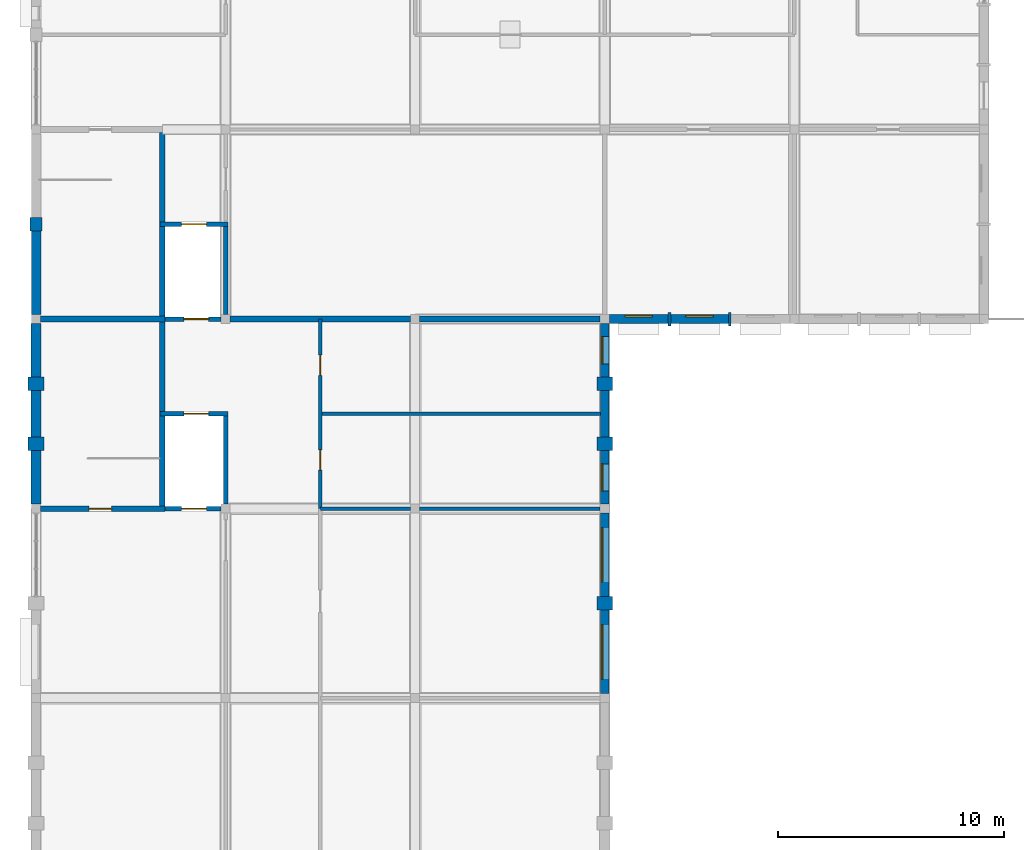
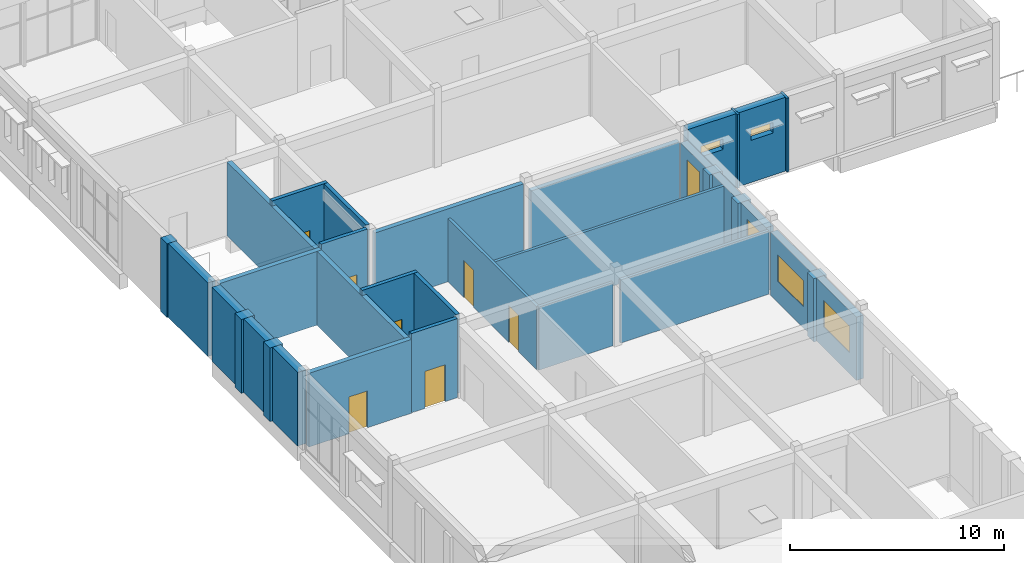
# One storey, part 12 of 15: 35 walls, 7 doors, 6 windows, 13 openings.
"""IFC4 building model written with IfcOpenShell, lengths in metres."""

from ifc_helpers import new_model, si_unit, direction, frame, frame_2d, origin, place, context, subcontext, project, spatial, rectangle, extrude, material, layer, layer_set, type_object, element, fill, save


model = new_model("IFC4")

# Units and contexts
model_context = context("Model", 3, precision=1e-05, world=origin(), true_north=direction((0.0, 1.0)))
body_context = subcontext(model_context, "Body", "Model", "MODEL_VIEW")
ifc_project = project(units=[si_unit("LENGTHUNIT", "METRE"), si_unit("AREAUNIT", "SQUARE_METRE"), si_unit("VOLUMEUNIT", "CUBIC_METRE"), si_unit("PLANEANGLEUNIT", "RADIAN"), si_unit("MASSUNIT", "GRAM", prefix="KILO")], contexts=[model_context])

# Site, building, storey
site_placement = place(None, origin())
site = spatial("IfcSite", under=ifc_project, at=site_placement, CompositionType="ELEMENT")
building_placement = place(site_placement, origin())
building = spatial("IfcBuilding", under=site, at=building_placement, Name="Fescue Hill Polytechnic", CompositionType="ELEMENT")
storey_placement = place(building_placement, frame((0.0, 0.0, 31.5)))
storey = spatial("IfcBuildingStorey", under=building, at=storey_placement, Name="L07", CompositionType="ELEMENT", Elevation=31.5)

# Wall
ifc_material_1 = material(Name="Clay brick masonry", Category="masonry")
ifc_layer_1 = layer(ifc_material_1, 0.550048828125)
ifc_layer_set_1 = layer_set([ifc_layer_1], Name="Clay brick masonry")
wall_type_1 = type_object("IfcWallType", Name="Brick pier 600x550", PredefinedType="SOLIDWALL", material=ifc_layer_set_1)
wall_1_placement = place(storey_placement, frame((0.0, 113.699951171875, 0.0), z_axis=(0.0, 0.0, 1.0), x_axis=(0.0, -1.0, 0.0)))
element("IfcWall", 1, at=wall_1_placement, inside=storey, type_object=wall_type_1, Name="PR-L07-V5-16", PredefinedType="SOLIDWALL", context=body_context, shape_type="SweptSolid", body=[
    extrude(rectangle(XDim=0.599853515625, YDim=0.550048828125, at=frame_2d((0.2998046875, 0.0))), origin(), (0.0, 0.0, 1.0), 4.199951171875),
])

# Wall, opening, door
ifc_material_2 = material(Name="Concrete 40 MPa", Category="concrete")
ifc_layer_2 = layer(ifc_material_2, 0.25)
ifc_layer_set_2 = layer_set([ifc_layer_2], Name="Concrete 40 MPa")
wall_type_2 = type_object("IfcWallType", Name="Core wall 250", PredefinedType="SHEAR", material=ifc_layer_set_2)
wall_2_placement = place(storey_placement, frame((0.199951171875, 100.800048828125, 0.0), z_axis=(0.0, 0.0, 1.0), x_axis=(1.0, 0.0, 0.0)))
wall_2 = element("IfcWall", 2, at=wall_2_placement, inside=storey, type_object=wall_type_2, Name="CW-L07-ST-V4-2-11", PredefinedType="SHEAR", context=body_context, shape_type="SweptSolid", body=[
    extrude(rectangle(XDim=5.525146484375, YDim=0.25, at=frame_2d((2.7626953125, 0.0))), origin(), (0.0, 0.0, 1.0), 4.199951171875),
])
opening_1_placement = place(wall_2_placement, frame((2.14990234375, 0.0, 0.0)))
opening_1 = element("IfcOpeningElement", 3, at=opening_1_placement, cuts=wall_2, Name="Opening D7024", PredefinedType="OPENING", context=body_context, shape_type="SweptSolid", body=[
    extrude(rectangle(XDim=1.0, YDim=2.10009765625, at=frame_2d((0.5, 1.050048828125))), frame((0.0, 0.135009765625, 0.0), z_axis=(0.0, -1.0, 0.0), x_axis=(1.0, 0.0, 0.0)), (0.0, 0.0, 1.0), 0.27001953125),
])
ifc_material_3 = material(Name="Steel fire door", Category="steel")
door_type_1 = type_object("IfcDoorType", Name="Door single swing 1000x2100 stair fire rated", OperationType="NOTDEFINED", PredefinedType="DOOR", material=ifc_material_3)
door_1_placement = place(opening_1_placement, origin())
door_1 = element("IfcDoor", 4, at=door_1_placement, inside=storey, type_object=door_type_1, Name="L07 ST-V4-2 stair door", OperationType="SINGLE_SWING_LEFT", OverallHeight=2.10009765625, OverallWidth=1.0, PredefinedType="DOOR", context=body_context, shape_type="SweptSolid", body=[
    extrude(rectangle(XDim=1.0, YDim=2.10009765625, at=frame_2d((0.5, 1.050048828125))), frame((0.0, 0.02490234375, 0.0), z_axis=(0.0, -1.0, 0.0), x_axis=(1.0, 0.0, 0.0)), (0.0, 0.0, 1.0), 0.050048828125),
])
fill(opening_1, door_1)

# Walls
wall_3_placement = place(storey_placement, frame((0.199951171875, 109.199951171875, 0.0), z_axis=(0.0, 0.0, 1.0), x_axis=(1.0, 0.0, 0.0)))
element("IfcWall", 5, at=wall_3_placement, inside=storey, type_object=wall_type_2, Name="CW-L07-ST-V4-2-21", PredefinedType="SHEAR", context=body_context, shape_type="SweptSolid", body=[
    extrude(rectangle(XDim=5.525146484375, YDim=0.25, at=frame_2d((2.7626953125, 0.0))), origin(), (0.0, 0.0, 1.0), 4.199951171875),
])
wall_4_placement = place(storey_placement, frame((5.60009765625, 100.925048828125, 0.0), z_axis=(0.0, 0.0, 1.0), x_axis=(0.0, 1.0, 0.0)))
element("IfcWall", 6, at=wall_4_placement, inside=storey, type_object=wall_type_2, Name="CW-L07-ST-V4-2-41", PredefinedType="SHEAR", context=body_context, shape_type="SweptSolid", body=[
    extrude(rectangle(XDim=8.14990234375, YDim=0.25, at=frame_2d((4.074951171875, 0.0))), origin(), (0.0, 0.0, 1.0), 4.199951171875),
])
wall_5_placement = place(storey_placement, frame((5.60009765625, 109.324951171875, 0.0), z_axis=(0.0, 0.0, 1.0), x_axis=(0.0, 1.0, 0.0)))
element("IfcWall", 7, at=wall_5_placement, inside=storey, type_object=wall_type_2, Name="CW-L07-ST-V5-1-41", PredefinedType="SHEAR", context=body_context, shape_type="SweptSolid", body=[
    extrude(rectangle(XDim=8.150146484375, YDim=0.25, at=frame_2d((4.0751953125, 0.0))), origin(), (0.0, 0.0, 1.0), 4.199951171875),
])

# Wall, openings, doors
ifc_material_4 = material(Name="Gypsum board partition")
ifc_layer_3 = layer(ifc_material_4, 0.14990234375)
ifc_layer_set_3 = layer_set([ifc_layer_3], Name="Gypsum board partition")
wall_type_3 = type_object("IfcWallType", Name="Corridor wall 150 EI 45", PredefinedType="PARTITIONING", material=ifc_layer_set_3)
wall_6_placement = place(storey_placement, frame((12.60009765625, 100.800048828125, 0.0), z_axis=(0.0, 0.0, 1.0), x_axis=(0.0, 1.0, 0.0)))
wall_6 = element("IfcWall", 8, at=wall_6_placement, inside=storey, type_object=wall_type_3, Name="IW-L07-038", PredefinedType="PARTITIONING", context=body_context, shape_type="SweptSolid", body=[
    extrude(rectangle(XDim=8.39990234375, YDim=0.14990234375, at=frame_2d((4.199951171875, 0.0))), origin(), (0.0, 0.0, 1.0), 3.60009765625),
])
opening_2_placement = place(wall_6_placement, frame((1.699951171875, 0.0, 0.0)))
opening_2 = element("IfcOpeningElement", 9, at=opening_2_placement, cuts=wall_6, Name="Opening D7013", PredefinedType="OPENING", context=body_context, shape_type="SweptSolid", body=[
    extrude(rectangle(XDim=0.89990234375, YDim=2.10009765625, at=frame_2d((0.449951171875, 1.050048828125))), frame((0.0, 0.0849609375, 0.0), z_axis=(0.0, -1.0, 0.0), x_axis=(1.0, 0.0, 0.0)), (0.0, 0.0, 1.0), 0.169921875),
])
opening_3_placement = place(wall_6_placement, frame((5.89990234375, 0.0, 0.0)))
opening_3 = element("IfcOpeningElement", 10, at=opening_3_placement, cuts=wall_6, Name="Opening D7014", PredefinedType="OPENING", context=body_context, shape_type="SweptSolid", body=[
    extrude(rectangle(XDim=0.89990234375, YDim=2.10009765625, at=frame_2d((0.449951171875, 1.050048828125))), frame((0.0, 0.0849609375, 0.0), z_axis=(0.0, -1.0, 0.0), x_axis=(1.0, 0.0, 0.0)), (0.0, 0.0, 1.0), 0.169921875),
])
ifc_material_5 = material(Name="Timber", Category="wood")
door_type_2 = type_object("IfcDoorType", Name="Door single swing 900x2100 FD30S", OperationType="SINGLE_SWING_LEFT", PredefinedType="DOOR", material=ifc_material_5)
door_2_placement = place(opening_2_placement, origin())
door_2 = element("IfcDoor", 11, at=door_2_placement, inside=storey, type_object=door_type_2, Name="Door D7013", OperationType="SINGLE_SWING_LEFT", OverallHeight=2.10009765625, OverallWidth=0.89990234375, PredefinedType="DOOR", context=body_context, shape_type="SweptSolid", body=[
    extrude(rectangle(XDim=0.89990234375, YDim=2.10009765625, at=frame_2d((0.449951171875, 1.050048828125))), frame((0.0, 0.02490234375, 0.0), z_axis=(0.0, -1.0, 0.0), x_axis=(1.0, 0.0, 0.0)), (0.0, 0.0, 1.0), 0.050048828125),
])
fill(opening_2, door_2)
door_3_placement = place(opening_3_placement, origin())
door_3 = element("IfcDoor", 12, at=door_3_placement, inside=storey, type_object=door_type_2, Name="Door D7014", OperationType="SINGLE_SWING_RIGHT", OverallHeight=2.10009765625, OverallWidth=0.89990234375, PredefinedType="DOOR", context=body_context, shape_type="SweptSolid", body=[
    extrude(rectangle(XDim=0.89990234375, YDim=2.10009765625, at=frame_2d((0.449951171875, 1.050048828125))), frame((0.0, 0.02490234375, 0.0), z_axis=(0.0, -1.0, 0.0), x_axis=(1.0, 0.0, 0.0)), (0.0, 0.0, 1.0), 0.050048828125),
])
fill(opening_3, door_3)

# Walls
ifc_layer_4 = layer(ifc_material_2, 0.449951171875)
ifc_layer_set_4 = layer_set([ifc_layer_4], Name="Concrete 40 MPa")
wall_type_4 = type_object("IfcWallType", Name="Exterior wall board-marked concrete 450 load-bearing", PredefinedType="SOLIDWALL", material=ifc_layer_set_4)
wall_7_placement = place(storey_placement, frame((0.0, 109.0, 0.0), z_axis=(0.0, 0.0, 1.0), x_axis=(0.0, -1.0, 0.0)))
element("IfcWall", 13, at=wall_7_placement, inside=storey, type_object=wall_type_4, Name="EW-L07-V4-19", PredefinedType="SOLIDWALL", context=body_context, shape_type="SweptSolid", body=[
    extrude(rectangle(XDim=2.36669921875, YDim=0.449951171875, at=frame_2d((1.183349609375, 0.0))), origin(), (0.0, 0.0, 1.0), 4.199951171875),
])
wall_8_placement = place(storey_placement, frame((0.0, 106.033203125, 0.0), z_axis=(0.0, 0.0, 1.0), x_axis=(0.0, -1.0, 0.0)))
element("IfcWall", 14, at=wall_8_placement, inside=storey, type_object=wall_type_4, Name="EW-L07-V4-20", PredefinedType="SOLIDWALL", context=body_context, shape_type="SweptSolid", body=[
    extrude(rectangle(XDim=2.06640625, YDim=0.449951171875, at=frame_2d((1.033203125, 0.0))), origin(), (0.0, 0.0, 1.0), 4.199951171875),
])
wall_9_placement = place(storey_placement, frame((0.0, 103.36669921875, 0.0), z_axis=(0.0, 0.0, 1.0), x_axis=(0.0, -1.0, 0.0)))
element("IfcWall", 15, at=wall_9_placement, inside=storey, type_object=wall_type_4, Name="EW-L07-V4-21", PredefinedType="SOLIDWALL", context=body_context, shape_type="SweptSolid", body=[
    extrude(rectangle(XDim=2.36669921875, YDim=0.449951171875, at=frame_2d((1.183349609375, 0.0))), origin(), (0.0, 0.0, 1.0), 4.199951171875),
])
ifc_layer_5 = layer(ifc_material_1, 0.419921875)
ifc_layer_set_5 = layer_set([ifc_layer_5], Name="Clay brick masonry")
wall_type_5 = type_object("IfcWallType", Name="Exterior wall buff-red brick cavity 420 load-bearing", PredefinedType="SOLIDWALL", material=ifc_layer_set_5)
wall_10_placement = place(storey_placement, frame((0.0, 113.10009765625, 0.0), z_axis=(0.0, 0.0, 1.0), x_axis=(0.0, -1.0, 0.0)))
element("IfcWall", 16, at=wall_10_placement, inside=storey, type_object=wall_type_5, Name="EW-L07-V5-20", PredefinedType="SOLIDWALL", context=body_context, shape_type="SweptSolid", body=[
    extrude(rectangle(XDim=3.7001953125, YDim=0.419921875, at=frame_2d((1.85009765625, 0.0))), origin(), (0.0, 0.0, 1.0), 4.199951171875),
])

# Wall, opening, window
ifc_layer_6 = layer(ifc_material_1, 0.39990234375)
ifc_layer_set_6 = layer_set([ifc_layer_6], Name="Clay brick masonry")
wall_type_6 = type_object("IfcWallType", Name="Exterior wall clinker brick cavity 400", PredefinedType="SOLIDWALL", material=ifc_layer_set_6)
wall_11_placement = place(storey_placement, frame((25.39990234375, 109.199951171875, 0.0), z_axis=(0.0, 0.0, 1.0), x_axis=(1.0, 0.0, 0.0)))
wall_11 = element("IfcWall", 17, at=wall_11_placement, inside=storey, type_object=wall_type_6, Name="EW-L07-V5-21", PredefinedType="SOLIDWALL", context=body_context, shape_type="SweptSolid", body=[
    extrude(rectangle(XDim=2.606689453125, YDim=0.39990234375, at=frame_2d((1.30322265625, 0.0))), origin(), (0.0, 0.0, 1.0), 4.199951171875),
])
opening_4_placement = place(wall_11_placement, frame((0.703369140625, 0.0, 2.39990234375)))
opening_4 = element("IfcOpeningElement", 18, at=opening_4_placement, cuts=wall_11, Name="Opening W12", PredefinedType="OPENING", context=body_context, shape_type="SweptSolid", body=[
    extrude(rectangle(XDim=1.199951171875, YDim=0.60009765625, at=frame_2d((0.60009765625, 0.300048828125))), frame((0.0, 0.2099609375, 0.0), z_axis=(0.0, -1.0, 0.0), x_axis=(1.0, 0.0, 0.0)), (0.0, 0.0, 1.0), 0.419921875),
])
ifc_material_6 = material(Name="Powder-coated aluminium and glass", Category="aluminium")
window_type_1 = type_object("IfcWindowType", Name="Window plant and store high-level 1200x600", PartitioningType="SINGLE_PANEL", PredefinedType="WINDOW", material=ifc_material_6)
window_1_placement = place(opening_4_placement, origin())
window_1 = element("IfcWindow", 19, at=window_1_placement, inside=storey, type_object=window_type_1, Name="WN-L07-V5-12", OverallHeight=0.60009765625, OverallWidth=1.199951171875, PartitioningType="SINGLE_PANEL", PredefinedType="WINDOW", context=body_context, shape_type="SweptSolid", body=[
    extrude(rectangle(XDim=1.199951171875, YDim=0.60009765625, at=frame_2d((0.60009765625, 0.300048828125))), frame((0.0, 0.159912109375, 0.0), z_axis=(0.0, -1.0, 0.0), x_axis=(1.0, 0.0, 0.0)), (0.0, 0.0, 1.0), 0.06005859375),
])
fill(opening_4, window_1)

wall_12_placement = place(storey_placement, frame((28.126708984375, 109.199951171875, 0.0), z_axis=(0.0, 0.0, 1.0), x_axis=(1.0, 0.0, 0.0)))
wall_12 = element("IfcWall", 20, at=wall_12_placement, inside=storey, type_object=wall_type_6, Name="EW-L07-V5-22", PredefinedType="SOLIDWALL", context=body_context, shape_type="SweptSolid", body=[
    extrude(rectangle(XDim=2.546630859375, YDim=0.39990234375, at=frame_2d((1.2734375, 0.0))), origin(), (0.0, 0.0, 1.0), 4.199951171875),
])
opening_5_placement = place(wall_12_placement, frame((0.67333984375, 0.0, 2.39990234375)))
opening_5 = element("IfcOpeningElement", 21, at=opening_5_placement, cuts=wall_12, Name="Opening W12", PredefinedType="OPENING", context=body_context, shape_type="SweptSolid", body=[
    extrude(rectangle(XDim=1.199951171875, YDim=0.60009765625, at=frame_2d((0.60009765625, 0.300048828125))), frame((0.0, 0.2099609375, 0.0), z_axis=(0.0, -1.0, 0.0), x_axis=(1.0, 0.0, 0.0)), (0.0, 0.0, 1.0), 0.419921875),
])
window_2_placement = place(opening_5_placement, origin())
window_2 = element("IfcWindow", 22, at=window_2_placement, inside=storey, type_object=window_type_1, Name="WN-L07-V5-13", OverallHeight=0.60009765625, OverallWidth=1.199951171875, PartitioningType="SINGLE_PANEL", PredefinedType="WINDOW", context=body_context, shape_type="SweptSolid", body=[
    extrude(rectangle(XDim=1.199951171875, YDim=0.60009765625, at=frame_2d((0.60009765625, 0.300048828125))), frame((0.0, 0.159912109375, 0.0), z_axis=(0.0, -1.0, 0.0), x_axis=(1.0, 0.0, 0.0)), (0.0, 0.0, 1.0), 0.06005859375),
])
fill(opening_5, window_2)

ifc_material_7 = material(Name="Terracotta rainscreen on concrete block", Category="masonry")
ifc_layer_7 = layer(ifc_material_7, 0.3798828125)
ifc_layer_set_7 = layer_set([ifc_layer_7], Name="Terracotta rainscreen on concrete block")
wall_type_7 = type_object("IfcWallType", Name="Exterior wall rainscreen terracotta on blockwork 380", PredefinedType="SOLIDWALL", material=ifc_layer_set_7)
wall_13_placement = place(storey_placement, frame((25.199951171875, 92.60009765625, 0.0), z_axis=(0.0, 0.0, 1.0), x_axis=(0.0, 1.0, 0.0)))
wall_13 = element("IfcWall", 23, at=wall_13_placement, inside=storey, type_object=wall_type_7, Name="EW-L07-V4-14", PredefinedType="SOLIDWALL", context=body_context, shape_type="SweptSolid", body=[
    extrude(rectangle(XDim=3.699951171875, YDim=0.3798828125, at=frame_2d((1.85009765625, 0.0))), origin(), (0.0, 0.0, 1.0), 3.60009765625),
])
opening_6_placement = place(wall_13_placement, frame((0.64990234375, 0.0, 1.199951171875)))
opening_6 = element("IfcOpeningElement", 24, at=opening_6_placement, cuts=wall_13, Name="Opening W3", PredefinedType="OPENING", context=body_context, shape_type="SweptSolid", body=[
    extrude(rectangle(XDim=2.39990234375, YDim=1.5, at=frame_2d((1.199951171875, 0.75))), frame((0.0, 0.199951171875, 0.0), z_axis=(0.0, -1.0, 0.0), x_axis=(1.0, 0.0, 0.0)), (0.0, 0.0, 1.0), 0.39990234375),
])
window_type_2 = type_object("IfcWindowType", Name="Window laboratory strip 2400x1500", PartitioningType="TRIPLE_PANEL_VERTICAL", PredefinedType="WINDOW", material=ifc_material_6)
window_3_placement = place(opening_6_placement, origin())
window_3 = element("IfcWindow", 25, at=window_3_placement, inside=storey, type_object=window_type_2, Name="WN-L07-V4-4", OverallHeight=1.5, OverallWidth=2.39990234375, PartitioningType="SINGLE_PANEL", PredefinedType="WINDOW", context=body_context, shape_type="SweptSolid", body=[
    extrude(rectangle(XDim=2.39990234375, YDim=1.5, at=frame_2d((1.199951171875, 0.75))), frame((0.0, 0.150146484375, 0.0), z_axis=(0.0, -1.0, 0.0), x_axis=(1.0, 0.0, 0.0)), (0.0, 0.0, 1.0), 0.06005859375),
])
fill(opening_6, window_3)

wall_14_placement = place(storey_placement, frame((25.199951171875, 96.89990234375, 0.0), z_axis=(0.0, 0.0, 1.0), x_axis=(0.0, 1.0, 0.0)))
wall_14 = element("IfcWall", 26, at=wall_14_placement, inside=storey, type_object=wall_type_7, Name="EW-L07-V4-15", PredefinedType="SOLIDWALL", context=body_context, shape_type="SweptSolid", body=[
    extrude(rectangle(XDim=3.7001953125, YDim=0.3798828125, at=frame_2d((1.85009765625, 0.0))), origin(), (0.0, 0.0, 1.0), 3.60009765625),
])
opening_7_placement = place(wall_14_placement, frame((0.64990234375, 0.0, 1.199951171875)))
opening_7 = element("IfcOpeningElement", 27, at=opening_7_placement, cuts=wall_14, Name="Opening W3", PredefinedType="OPENING", context=body_context, shape_type="SweptSolid", body=[
    extrude(rectangle(XDim=2.39990234375, YDim=1.5, at=frame_2d((1.199951171875, 0.75))), frame((0.0, 0.199951171875, 0.0), z_axis=(0.0, -1.0, 0.0), x_axis=(1.0, 0.0, 0.0)), (0.0, 0.0, 1.0), 0.39990234375),
])
window_4_placement = place(opening_7_placement, origin())
window_4 = element("IfcWindow", 28, at=window_4_placement, inside=storey, type_object=window_type_2, Name="WN-L07-V4-5", OverallHeight=1.5, OverallWidth=2.39990234375, PartitioningType="SINGLE_PANEL", PredefinedType="WINDOW", context=body_context, shape_type="SweptSolid", body=[
    extrude(rectangle(XDim=2.39990234375, YDim=1.5, at=frame_2d((1.199951171875, 0.75))), frame((0.0, 0.150146484375, 0.0), z_axis=(0.0, -1.0, 0.0), x_axis=(1.0, 0.0, 0.0)), (0.0, 0.0, 1.0), 0.06005859375),
])
fill(opening_7, window_4)

wall_15_placement = place(storey_placement, frame((25.199951171875, 101.0, 0.0), z_axis=(0.0, 0.0, 1.0), x_axis=(0.0, 1.0, 0.0)))
wall_15 = element("IfcWall", 29, at=wall_15_placement, inside=storey, type_object=wall_type_7, Name="EW-L07-V4-16", PredefinedType="SOLIDWALL", context=body_context, shape_type="SweptSolid", body=[
    extrude(rectangle(XDim=2.36669921875, YDim=0.3798828125, at=frame_2d((1.183349609375, 0.0))), origin(), (0.0, 0.0, 1.0), 3.60009765625),
])
opening_8_placement = place(wall_15_placement, frame((0.583251953125, 0.0, 0.89990234375)))
opening_8 = element("IfcOpeningElement", 30, at=opening_8_placement, cuts=wall_15, Name="Opening W13", PredefinedType="OPENING", context=body_context, shape_type="SweptSolid", body=[
    extrude(rectangle(XDim=1.199951171875, YDim=2.10009765625, at=frame_2d((0.60009765625, 1.050048828125))), frame((0.0, 0.199951171875, 0.0), z_axis=(0.0, -1.0, 0.0), x_axis=(1.0, 0.0, 0.0)), (0.0, 0.0, 1.0), 0.39990234375),
])
window_type_3 = type_object("IfcWindowType", Name="Window cellular office 1200x2100", PartitioningType="SINGLE_PANEL", PredefinedType="WINDOW", material=ifc_material_6)
window_5_placement = place(opening_8_placement, origin())
window_5 = element("IfcWindow", 31, at=window_5_placement, inside=storey, type_object=window_type_3, Name="WN-L07-V4-6", OverallHeight=2.10009765625, OverallWidth=1.199951171875, PartitioningType="SINGLE_PANEL", PredefinedType="WINDOW", context=body_context, shape_type="SweptSolid", body=[
    extrude(rectangle(XDim=1.199951171875, YDim=2.10009765625, at=frame_2d((0.60009765625, 1.050048828125))), frame((0.0, 0.150146484375, 0.0), z_axis=(0.0, -1.0, 0.0), x_axis=(1.0, 0.0, 0.0)), (0.0, 0.0, 1.0), 0.06005859375),
])
fill(opening_8, window_5)

# Wall
wall_16_placement = place(storey_placement, frame((25.199951171875, 103.966796875, 0.0), z_axis=(0.0, 0.0, 1.0), x_axis=(0.0, 1.0, 0.0)))
element("IfcWall", 32, at=wall_16_placement, inside=storey, type_object=wall_type_7, Name="EW-L07-V4-17", PredefinedType="SOLIDWALL", context=body_context, shape_type="SweptSolid", body=[
    extrude(rectangle(XDim=2.06640625, YDim=0.3798828125, at=frame_2d((1.033203125, 0.0))), origin(), (0.0, 0.0, 1.0), 3.60009765625),
])

# Wall, opening, window
wall_17_placement = place(storey_placement, frame((25.199951171875, 106.63330078125, 0.0), z_axis=(0.0, 0.0, 1.0), x_axis=(0.0, 1.0, 0.0)))
wall_17 = element("IfcWall", 33, at=wall_17_placement, inside=storey, type_object=wall_type_7, Name="EW-L07-V4-18", PredefinedType="SOLIDWALL", context=body_context, shape_type="SweptSolid", body=[
    extrude(rectangle(XDim=2.36669921875, YDim=0.3798828125, at=frame_2d((1.183349609375, 0.0))), origin(), (0.0, 0.0, 1.0), 3.60009765625),
])
opening_9_placement = place(wall_17_placement, frame((0.583251953125, 0.0, 0.89990234375)))
opening_9 = element("IfcOpeningElement", 34, at=opening_9_placement, cuts=wall_17, Name="Opening W13", PredefinedType="OPENING", context=body_context, shape_type="SweptSolid", body=[
    extrude(rectangle(XDim=1.199951171875, YDim=2.10009765625, at=frame_2d((0.60009765625, 1.050048828125))), frame((0.0, 0.199951171875, 0.0), z_axis=(0.0, -1.0, 0.0), x_axis=(1.0, 0.0, 0.0)), (0.0, 0.0, 1.0), 0.39990234375),
])
window_6_placement = place(opening_9_placement, origin())
window_6 = element("IfcWindow", 35, at=window_6_placement, inside=storey, type_object=window_type_3, Name="WN-L07-V4-7", OverallHeight=2.10009765625, OverallWidth=1.199951171875, PartitioningType="SINGLE_PANEL", PredefinedType="WINDOW", context=body_context, shape_type="SweptSolid", body=[
    extrude(rectangle(XDim=1.199951171875, YDim=2.10009765625, at=frame_2d((0.60009765625, 1.050048828125))), frame((0.0, 0.150146484375, 0.0), z_axis=(0.0, -1.0, 0.0), x_axis=(1.0, 0.0, 0.0)), (0.0, 0.0, 1.0), 0.06005859375),
])
fill(opening_9, window_6)

# Walls
ifc_layer_8 = layer(ifc_material_2, 0.699951171875)
ifc_layer_set_8 = layer_set([ifc_layer_8], Name="Concrete 40 MPa")
wall_type_8 = type_object("IfcWallType", Name="Fin wall board-marked 600x700", PredefinedType="SOLIDWALL", material=ifc_layer_set_8)
wall_18_placement = place(storey_placement, frame((25.199951171875, 96.300048828125, 0.0), z_axis=(0.0, 0.0, 1.0), x_axis=(0.0, 1.0, 0.0)))
element("IfcWall", 36, at=wall_18_placement, inside=storey, type_object=wall_type_8, Name="PR-L07-V4-9", PredefinedType="SOLIDWALL", context=body_context, shape_type="SweptSolid", body=[
    extrude(rectangle(XDim=0.599853515625, YDim=0.699951171875, at=frame_2d((0.2998046875, 0.0))), origin(), (0.0, 0.0, 1.0), 3.60009765625),
])
for number, where, z_axis, x_axis, name in (
    (37, (25.199951171875, 103.36669921875, 0.0), (0.0, 0.0, 1.0), (0.0, 1.0, 0.0), "PR-L07-V4-10"),
    (38, (25.199951171875, 106.033203125, 0.0), (0.0, 0.0, 1.0), (0.0, 1.0, 0.0), "PR-L07-V4-11"),
):
    element("IfcWall", number, at=place(storey_placement, frame(where, z_axis=z_axis, x_axis=x_axis)), inside=storey, type_object=wall_type_8, Name=name, PredefinedType="SOLIDWALL", context=body_context, shape_type="SweptSolid", body=[
        extrude(rectangle(XDim=0.60009765625, YDim=0.699951171875, at=frame_2d((0.300048828125, 0.0))), origin(), (0.0, 0.0, 1.0), 3.60009765625),
    ])
for number, where, z_axis, x_axis, name in (
    (39, (0.0, 106.63330078125, 0.0), (0.0, 0.0, 1.0), (0.0, -1.0, 0.0), "PR-L07-V4-12"),
    (40, (0.0, 103.966796875, 0.0), (0.0, 0.0, 1.0), (0.0, -1.0, 0.0), "PR-L07-V4-13"),
):
    element("IfcWall", number, at=place(storey_placement, frame(where, z_axis=z_axis, x_axis=x_axis)), inside=storey, type_object=wall_type_8, Name=name, PredefinedType="SOLIDWALL", context=body_context, shape_type="SweptSolid", body=[
        extrude(rectangle(XDim=0.60009765625, YDim=0.699951171875, at=frame_2d((0.300048828125, 0.0))), origin(), (0.0, 0.0, 1.0), 4.199951171875),
    ])
ifc_material_8 = material(Name="Concrete masonry block 15 MPa", Category="masonry")
ifc_layer_9 = layer(ifc_material_8, 0.14990234375)
ifc_layer_set_9 = layer_set([ifc_layer_9], Name="Concrete masonry block 15 MPa")
wall_type_9 = type_object("IfcWallType", Name="Laboratory wall 150 block EI 60", PredefinedType="PARTITIONING", material=ifc_layer_set_9)
wall_19_placement = place(storey_placement, frame((12.60009765625, 100.800048828125, 0.0), z_axis=(0.0, 0.0, 1.0), x_axis=(1.0, 0.0, 0.0)))
element("IfcWall", 41, at=wall_19_placement, inside=storey, type_object=wall_type_9, Name="IW-L07-016", PredefinedType="PARTITIONING", context=body_context, shape_type="SweptSolid", body=[
    extrude(rectangle(XDim=4.0, YDim=0.14990234375, at=frame_2d((2.0, 0.0))), origin(), (0.0, 0.0, 1.0), 3.60009765625),
])
wall_20_placement = place(storey_placement, frame((17.0, 100.800048828125, 0.0), z_axis=(0.0, 0.0, 1.0), x_axis=(1.0, 0.0, 0.0)))
element("IfcWall", 42, at=wall_20_placement, inside=storey, type_object=wall_type_9, Name="IW-L07-017", PredefinedType="PARTITIONING", context=body_context, shape_type="SweptSolid", body=[
    extrude(rectangle(XDim=8.0, YDim=0.14990234375, at=frame_2d((4.0, 0.0))), origin(), (0.0, 0.0, 1.0), 3.60009765625),
])

# Wall, opening, door
ifc_layer_10 = layer(ifc_material_2, 0.199951171875)
ifc_layer_set_10 = layer_set([ifc_layer_10], Name="Concrete 40 MPa")
wall_type_10 = type_object("IfcWallType", Name="Lift shaft wall 200", PredefinedType="SHEAR", material=ifc_layer_set_10)
wall_21_placement = place(storey_placement, frame((5.5, 105.0, 0.0), z_axis=(0.0, 0.0, 1.0), x_axis=(1.0, 0.0, 0.0)))
wall_21 = element("IfcWall", 43, at=wall_21_placement, inside=storey, type_object=wall_type_10, Name="CW-L07-LF-V4-2-21", PredefinedType="SHEAR", context=body_context, shape_type="SweptSolid", body=[
    extrude(rectangle(XDim=3.0, YDim=0.199951171875, at=frame_2d((1.5, 0.0))), origin(), (0.0, 0.0, 1.0), 4.5),
])
opening_10_placement = place(wall_21_placement, frame((1.050048828125, 0.0, 0.0)))
opening_10 = element("IfcOpeningElement", 44, at=opening_10_placement, cuts=wall_21, Name="Opening LD5-L07N", PredefinedType="OPENING", context=body_context, shape_type="SweptSolid", body=[
    extrude(rectangle(XDim=1.10009765625, YDim=2.10009765625, at=frame_2d((0.550048828125, 1.050048828125))), frame((0.0, 0.10986328125, 0.0), z_axis=(0.0, -1.0, 0.0), x_axis=(1.0, 0.0, 0.0)), (0.0, 0.0, 1.0), 0.219970703125),
])
ifc_material_9 = material(Name="Stainless steel", Category="steel")
door_type_3 = type_object("IfcDoorType", Name="Lift landing door sliding 1100x2100", OperationType="SLIDING_TO_LEFT", PredefinedType="DOOR", material=ifc_material_9)
door_4_placement = place(opening_10_placement, origin())
door_4 = element("IfcDoor", 45, at=door_4_placement, inside=storey, type_object=door_type_3, Name="L07 LF-V4-2 lift landing door", OperationType="SLIDING_TO_RIGHT", OverallHeight=2.10009765625, OverallWidth=1.10009765625, PredefinedType="DOOR", context=body_context, shape_type="SweptSolid", body=[
    extrude(rectangle(XDim=1.10009765625, YDim=2.10009765625, at=frame_2d((0.550048828125, 1.050048828125))), frame((0.0, 0.02490234375, 0.0), z_axis=(0.0, -1.0, 0.0), x_axis=(1.0, 0.0, 0.0)), (0.0, 0.0, 1.0), 0.050048828125),
])
fill(opening_10, door_4)

# Wall
wall_22_placement = place(storey_placement, frame((8.39990234375, 101.0, 0.0), z_axis=(0.0, 0.0, 1.0), x_axis=(0.0, 1.0, 0.0)))
element("IfcWall", 46, at=wall_22_placement, inside=storey, type_object=wall_type_10, Name="CW-L07-LF-V4-2-41", PredefinedType="SHEAR", context=body_context, shape_type="SweptSolid", body=[
    extrude(rectangle(XDim=3.89990234375, YDim=0.199951171875, at=frame_2d((1.949951171875, 0.0))), origin(), (0.0, 0.0, 1.0), 4.5),
])

# Wall, opening, door
wall_23_placement = place(storey_placement, frame((5.5, 113.39990234375, 0.0), z_axis=(0.0, 0.0, 1.0), x_axis=(1.0, 0.0, 0.0)))
wall_23 = element("IfcWall", 47, at=wall_23_placement, inside=storey, type_object=wall_type_10, Name="CW-L07-LF-V5-1-21", PredefinedType="SHEAR", context=body_context, shape_type="SweptSolid", body=[
    extrude(rectangle(XDim=3.0, YDim=0.199951171875, at=frame_2d((1.5, 0.0))), origin(), (0.0, 0.0, 1.0), 4.5),
])
opening_11_placement = place(wall_23_placement, frame((0.949951171875, 0.0, 0.0)))
opening_11 = element("IfcOpeningElement", 48, at=opening_11_placement, cuts=wall_23, Name="Opening LD6-L07N", PredefinedType="OPENING", context=body_context, shape_type="SweptSolid", body=[
    extrude(rectangle(XDim=1.10009765625, YDim=2.10009765625, at=frame_2d((0.550048828125, 1.050048828125))), frame((0.0, 0.10986328125, 0.0), z_axis=(0.0, -1.0, 0.0), x_axis=(1.0, 0.0, 0.0)), (0.0, 0.0, 1.0), 0.219970703125),
])
door_5_placement = place(opening_11_placement, origin())
door_5 = element("IfcDoor", 49, at=door_5_placement, inside=storey, type_object=door_type_3, Name="L07 LF-V5-1 lift landing door", OperationType="SLIDING_TO_RIGHT", OverallHeight=2.10009765625, OverallWidth=1.10009765625, PredefinedType="DOOR", context=body_context, shape_type="SweptSolid", body=[
    extrude(rectangle(XDim=1.10009765625, YDim=2.10009765625, at=frame_2d((0.550048828125, 1.050048828125))), frame((0.0, 0.02490234375, 0.0), z_axis=(0.0, -1.0, 0.0), x_axis=(1.0, 0.0, 0.0)), (0.0, 0.0, 1.0), 0.050048828125),
])
fill(opening_11, door_5)

# Wall
wall_24_placement = place(storey_placement, frame((8.39990234375, 109.39990234375, 0.0), z_axis=(0.0, 0.0, 1.0), x_axis=(0.0, 1.0, 0.0)))
element("IfcWall", 50, at=wall_24_placement, inside=storey, type_object=wall_type_10, Name="CW-L07-LF-V5-1-41", PredefinedType="SHEAR", context=body_context, shape_type="SweptSolid", body=[
    extrude(rectangle(XDim=3.900146484375, YDim=0.199951171875, at=frame_2d((1.9501953125, 0.0))), origin(), (0.0, 0.0, 1.0), 4.5),
])

# Wall, opening, door
wall_25_placement = place(storey_placement, frame((5.72509765625, 100.800048828125, 0.0), z_axis=(0.0, 0.0, 1.0), x_axis=(1.0, 0.0, 0.0)))
wall_25 = element("IfcWall", 51, at=wall_25_placement, inside=storey, type_object=wall_type_10, Name="CW-L07-LF-V4-2-11", PredefinedType="SHEAR", context=body_context, shape_type="SweptSolid", body=[
    extrude(rectangle(XDim=2.474853515625, YDim=0.199951171875, at=frame_2d((1.2373046875, 0.0))), origin(), (0.0, 0.0, 1.0), 4.5),
])
opening_12_placement = place(wall_25_placement, frame((0.72509765625, 0.0, 0.0)))
opening_12 = element("IfcOpeningElement", 52, at=opening_12_placement, cuts=wall_25, Name="Opening LD5-L07", PredefinedType="OPENING", context=body_context, shape_type="SweptSolid", body=[
    extrude(rectangle(XDim=1.10009765625, YDim=2.10009765625, at=frame_2d((0.550048828125, 1.050048828125))), frame((0.0, 0.10986328125, 0.0), z_axis=(0.0, -1.0, 0.0), x_axis=(1.0, 0.0, 0.0)), (0.0, 0.0, 1.0), 0.219970703125),
])
door_6_placement = place(opening_12_placement, origin())
door_6 = element("IfcDoor", 53, at=door_6_placement, inside=storey, type_object=door_type_3, Name="L07 LF-V4-2 lift landing door", OperationType="SLIDING_TO_LEFT", OverallHeight=2.10009765625, OverallWidth=1.10009765625, PredefinedType="DOOR", context=body_context, shape_type="SweptSolid", body=[
    extrude(rectangle(XDim=1.10009765625, YDim=2.10009765625, at=frame_2d((0.550048828125, 1.050048828125))), frame((0.0, 0.02490234375, 0.0), z_axis=(0.0, -1.0, 0.0), x_axis=(1.0, 0.0, 0.0)), (0.0, 0.0, 1.0), 0.050048828125),
])
fill(opening_12, door_6)

wall_26_placement = place(storey_placement, frame((5.72509765625, 109.199951171875, 0.0), z_axis=(0.0, 0.0, 1.0), x_axis=(1.0, 0.0, 0.0)))
wall_26 = element("IfcWall", 54, at=wall_26_placement, inside=storey, type_object=wall_type_10, Name="CW-L07-LF-V5-1-11", PredefinedType="SHEAR", context=body_context, shape_type="SweptSolid", body=[
    extrude(rectangle(XDim=2.474853515625, YDim=0.199951171875, at=frame_2d((1.2373046875, 0.0))), origin(), (0.0, 0.0, 1.0), 4.5),
])
opening_13_placement = place(wall_26_placement, frame((0.824951171875, 0.0, 0.0)))
opening_13 = element("IfcOpeningElement", 55, at=opening_13_placement, cuts=wall_26, Name="Opening LD6-L07", PredefinedType="OPENING", context=body_context, shape_type="SweptSolid", body=[
    extrude(rectangle(XDim=1.10009765625, YDim=2.10009765625, at=frame_2d((0.550048828125, 1.050048828125))), frame((0.0, 0.10986328125, 0.0), z_axis=(0.0, -1.0, 0.0), x_axis=(1.0, 0.0, 0.0)), (0.0, 0.0, 1.0), 0.219970703125),
])
door_7_placement = place(opening_13_placement, origin())
door_7 = element("IfcDoor", 56, at=door_7_placement, inside=storey, type_object=door_type_3, Name="L07 LF-V5-1 lift landing door", OperationType="SLIDING_TO_LEFT", OverallHeight=2.10009765625, OverallWidth=1.10009765625, PredefinedType="DOOR", context=body_context, shape_type="SweptSolid", body=[
    extrude(rectangle(XDim=1.10009765625, YDim=2.10009765625, at=frame_2d((0.550048828125, 1.050048828125))), frame((0.0, 0.02490234375, 0.0), z_axis=(0.0, -1.0, 0.0), x_axis=(1.0, 0.0, 0.0)), (0.0, 0.0, 1.0), 0.050048828125),
])
fill(opening_13, door_7)

# Walls
ifc_layer_11 = layer(ifc_material_4, 0.14990234375)
ifc_layer_set_11 = layer_set([ifc_layer_11], Name="Gypsum board partition")
wall_type_11 = type_object("IfcWallType", Name="Partition stud 150 acoustic", PredefinedType="PARTITIONING", material=ifc_layer_set_11)
wall_27_placement = place(storey_placement, frame((12.60009765625, 105.0, 0.0), z_axis=(0.0, 0.0, 1.0), x_axis=(1.0, 0.0, 0.0)))
element("IfcWall", 57, at=wall_27_placement, inside=storey, type_object=wall_type_11, Name="IW-L07-018", PredefinedType="PARTITIONING", context=body_context, shape_type="SweptSolid", body=[
    extrude(rectangle(XDim=12.409912109375, YDim=0.14990234375, at=frame_2d((6.205078125, 0.0))), origin(), (0.0, 0.0, 1.0), 3.60009765625),
])
ifc_material_10 = material(Name="Concrete 35 MPa", Category="concrete")
ifc_layer_12 = layer(ifc_material_10, 0.25)
ifc_layer_set_12 = layer_set([ifc_layer_12], Name="Concrete 35 MPa")
wall_type_12 = type_object("IfcWallType", Name="Party wall 250 concrete EI 120", PredefinedType="SOLIDWALL", material=ifc_layer_set_12)
wall_28_placement = place(storey_placement, frame((8.60009765625, 109.199951171875, 0.0), z_axis=(0.0, 0.0, 1.0), x_axis=(1.0, 0.0, 0.0)))
element("IfcWall", 58, at=wall_28_placement, inside=storey, type_object=wall_type_12, Name="IW-L07-019", PredefinedType="SOLIDWALL", context=body_context, shape_type="SweptSolid", body=[
    extrude(rectangle(XDim=8.0, YDim=0.25, at=frame_2d((4.0, 0.0))), origin(), (0.0, 0.0, 1.0), 4.14990234375),
])
wall_29_placement = place(storey_placement, frame((17.0, 109.199951171875, 0.0), z_axis=(0.0, 0.0, 1.0), x_axis=(1.0, 0.0, 0.0)))
element("IfcWall", 59, at=wall_29_placement, inside=storey, type_object=wall_type_12, Name="IW-L07-020", PredefinedType="SOLIDWALL", context=body_context, shape_type="SweptSolid", body=[
    extrude(rectangle(XDim=8.0, YDim=0.25, at=frame_2d((4.0, 0.0))), origin(), (0.0, 0.0, 1.0), 3.60009765625),
])
ifc_material_11 = material(Name="Glulam 24f-EX", Category="wood")
ifc_layer_13 = layer(ifc_material_11, 0.60009765625)
ifc_layer_set_13 = layer_set([ifc_layer_13], Name="Glulam 24f-EX")
wall_type_13 = type_object("IfcWallType", Name="Timber fin 120x600", PredefinedType="SOLIDWALL", material=ifc_layer_set_13)
wall_30_placement = place(storey_placement, frame((28.006591796875, 109.199951171875, 0.0), z_axis=(0.0, 0.0, 1.0), x_axis=(1.0, 0.0, 0.0)))
element("IfcWall", 60, at=wall_30_placement, inside=storey, type_object=wall_type_13, Name="PR-L07-V5-17", PredefinedType="SOLIDWALL", context=body_context, shape_type="SweptSolid", body=[
    extrude(rectangle(XDim=0.1201171875, YDim=0.60009765625, at=frame_2d((0.06005859375, 0.0))), origin(), (0.0, 0.0, 1.0), 4.199951171875),
])
wall_31_placement = place(storey_placement, frame((30.67333984375, 109.199951171875, 0.0), z_axis=(0.0, 0.0, 1.0), x_axis=(1.0, 0.0, 0.0)))
element("IfcWall", 61, at=wall_31_placement, inside=storey, type_object=wall_type_13, Name="PR-L07-V5-18", PredefinedType="SOLIDWALL", context=body_context, shape_type="SweptSolid", body=[
    extrude(rectangle(XDim=0.119873046875, YDim=0.60009765625, at=frame_2d((0.06005859375, 0.0))), origin(), (0.0, 0.0, 1.0), 4.199951171875),
])

save(model, "model.ifc")
